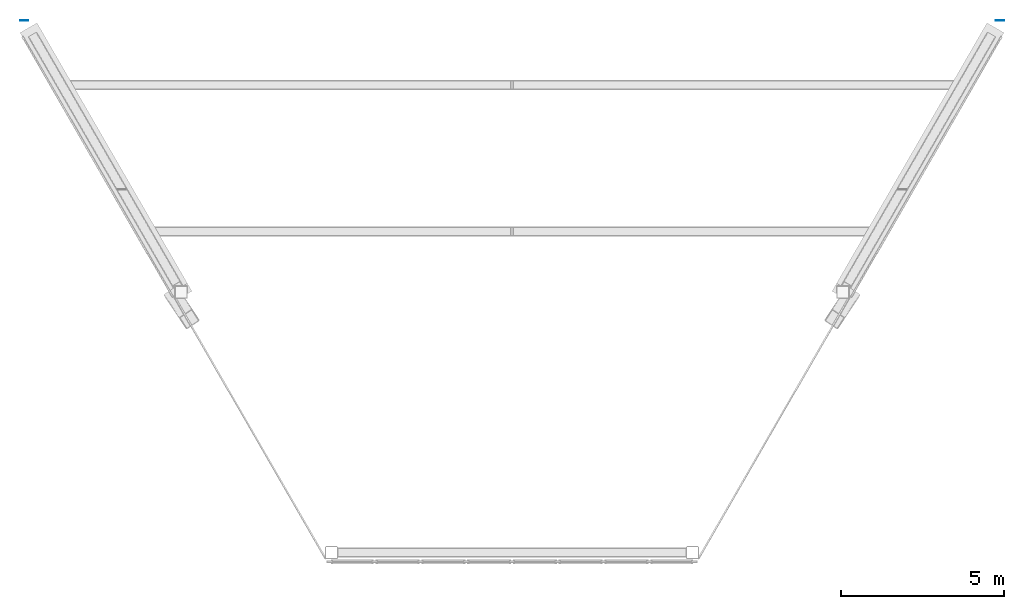
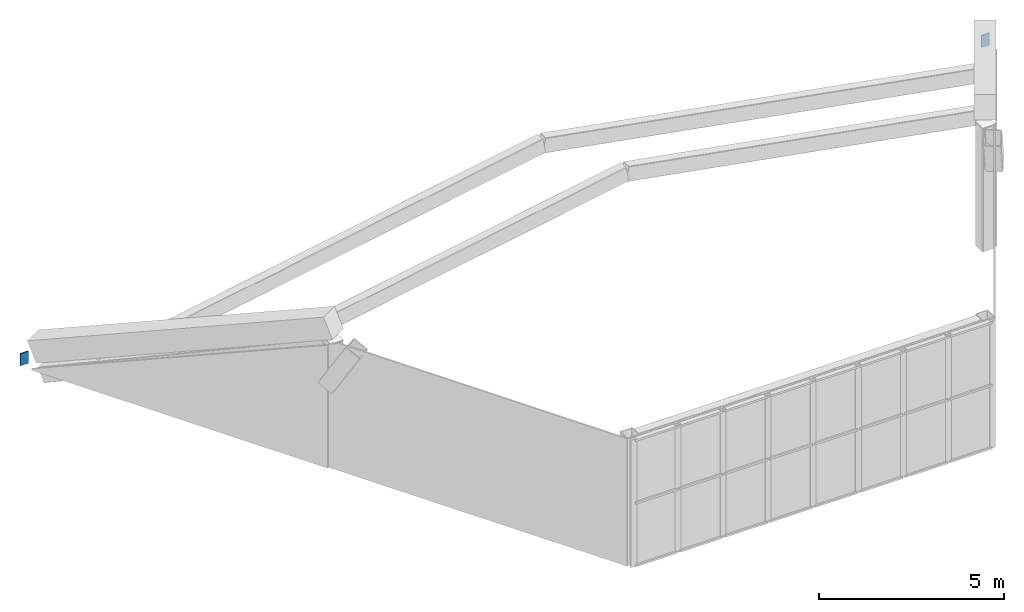
# One storey, part 3 of 4: 2 plates.
"""IFC4 building model written with IfcOpenShell, lengths in metres."""

import ifcopenshell
import ifcopenshell.guid

model = None  # the IFC model being written
_history = None  # IfcOwnerHistory: only IFC2X3 demands one
_inside = {}  # id of a spatial element -> (the spatial element, [elements in it])
_under = {}  # id of a project, library or spatial element -> (it, [spatial elements below it])
_declared = {}  # id of a project -> (the project, [libraries it declares])
_typed = {}  # id of a type object -> (the type object, [elements of that type])
_made_of = {}  # id of a material, layer set ... -> (it, [elements and type objects made of it])


def new_model(schema):
    """Start an empty IFC model of exactly this schema.

    Asked for "IFC4X3", IfcOpenShell would pick the latest addendum, in which some entities
    have other attributes; the version numbers below select the first issue.
    IFC2X3 requires an IfcOwnerHistory on every rooted entity: one is made here for all.
    """
    global model, _history
    if schema == "IFC4X3":
        model = ifcopenshell.file(schema_version=(4, 3, 0, 0))
    else:
        model = ifcopenshell.file(schema=schema)
    _inside.clear()
    _under.clear()
    _declared.clear()
    _typed.clear()
    _made_of.clear()
    _history = None
    if model.schema == "IFC2X3":
        org = make("IfcOrganization", Name="unknown")
        user = make(
            "IfcPersonAndOrganization",
            ThePerson=make("IfcPerson", FamilyName="unknown"),
            TheOrganization=org,
        )
        app = make(
            "IfcApplication",
            ApplicationDeveloper=org,
            Version="unknown",
            ApplicationFullName="unknown",
            ApplicationIdentifier="unknown",
        )
        _history = make(
            "IfcOwnerHistory",
            OwningUser=user,
            OwningApplication=app,
            ChangeAction="ADDED",
            CreationDate=0,
        )
    return model


def make(cls, **values):
    """One entity of the class cls with the attributes given. An attribute that is None is left unset."""
    return model.create_entity(
        cls, **{name: value for name, value in values.items() if value is not None}
    )


def rooted(cls, **values):
    """An entity with a GlobalId (a new one), such as an element, a storey or a relation."""
    return make(cls, GlobalId=ifcopenshell.guid.new(), OwnerHistory=_history, **values)


def si_unit(unit_type, name, prefix=None):
    """IfcSIUnit, for example si_unit("LENGTHUNIT", "METRE", prefix="MILLI")."""
    return make("IfcSIUnit", UnitType=unit_type, Prefix=prefix, Name=name)


def assignment(units):
    """IfcUnitAssignment: the units of a project."""
    return None if units is None else make("IfcUnitAssignment", Units=units)


def point(xyz):
    """IfcCartesianPoint."""
    return None if xyz is None else make("IfcCartesianPoint", Coordinates=xyz)


def direction(xyz):
    """IfcDirection."""
    return None if xyz is None else make("IfcDirection", DirectionRatios=xyz)


def frame(location, z_axis=None, x_axis=None):
    """IfcAxis2Placement3D, a coordinate frame: its origin and axes. An axis left out is left unset."""
    return make(
        "IfcAxis2Placement3D",
        Location=point(location),
        Axis=direction(z_axis),
        RefDirection=direction(x_axis),
    )


def origin():
    """The frame at (0, 0, 0) with its axes left unset."""
    return frame((0.0, 0.0, 0.0))


def place(relative_to, where):
    """IfcLocalPlacement: puts the frame where relative to a parent placement (None: the world)."""
    return make(
        "IfcLocalPlacement", PlacementRelTo=relative_to, RelativePlacement=where
    )


def context(
    kind, dimensions, precision=None, world=None, true_north=None, identifier=None
):
    """IfcGeometricRepresentationContext, for example the 3D "Model" context."""
    return make(
        "IfcGeometricRepresentationContext",
        ContextIdentifier=identifier,
        ContextType=kind,
        CoordinateSpaceDimension=dimensions,
        Precision=precision,
        WorldCoordinateSystem=world,
        TrueNorth=true_north,
    )


def subcontext(parent, identifier, kind, view, scale=None):
    """IfcGeometricRepresentationSubContext, for example "Body" below "Model"."""
    return make(
        "IfcGeometricRepresentationSubContext",
        ContextIdentifier=identifier,
        ContextType=kind,
        ParentContext=parent,
        TargetScale=scale,
        TargetView=view,
    )


def project(units=None, contexts=None):
    """IfcProject with its units and contexts."""
    return rooted(
        "IfcProject",
        Name="project",
        RepresentationContexts=contexts,
        UnitsInContext=assignment(units),
    )


def spatial(cls, under=None, at=None, **own):
    """A site, building, storey or space (cls), placed at a placement, below another one or the project."""
    s = rooted(cls, ObjectPlacement=at, **own)
    if under is not None:
        _under.setdefault(under.id(), (under, []))[1].append(s)
    return s


def polyline(points):
    """IfcPolyline through the points."""
    return make("IfcPolyline", Points=[point(p) for p in points])


def outline(outer, holes=None, kind="AREA"):
    """IfcArbitraryClosedProfileDef: a profile drawn as a closed curve; with holes, ...WithVoids."""
    if holes is None:
        return make("IfcArbitraryClosedProfileDef", ProfileType=kind, OuterCurve=outer)
    return make(
        "IfcArbitraryProfileDefWithVoids",
        ProfileType=kind,
        OuterCurve=outer,
        InnerCurves=holes,
    )


def extrude(swept, where, along, depth):
    """IfcExtrudedAreaSolid: the profile swept, set in the frame where, extruded along a direction by depth."""
    return make(
        "IfcExtrudedAreaSolid",
        SweptArea=swept,
        Position=where,
        ExtrudedDirection=direction(along),
        Depth=depth,
    )


def shape(context_of_items, identifier, shape_type, items):
    """IfcShapeRepresentation: the items that make up one representation, for example the "Body"."""
    return make(
        "IfcShapeRepresentation",
        ContextOfItems=context_of_items,
        RepresentationIdentifier=identifier,
        RepresentationType=shape_type,
        Items=items,
    )


def material(Name=None, Category=None):
    """IfcMaterial."""
    return make("IfcMaterial", Name=Name, Category=Category)


def layer(
    of_material, thickness, ventilated=None, Name=None, Category=None, Priority=None
):
    """IfcMaterialLayer: one layer of a wall or slab, of a material (None: an air gap)."""
    return make(
        "IfcMaterialLayer",
        Material=of_material,
        LayerThickness=thickness,
        IsVentilated=ventilated,
        Name=Name,
        Category=Category,
        Priority=Priority,
    )


def layer_set(layers, Name=None):
    """IfcMaterialLayerSet."""
    return make("IfcMaterialLayerSet", MaterialLayers=layers, LayerSetName=Name)


def made_of(thing, what):
    """Note that an element or type object is made of a material, layer set ...; save() writes the relation."""
    if what is not None:
        _made_of.setdefault(what.id(), (what, []))[1].append(thing)
    return thing


def type_object(cls, material=None, **own):
    """A type object (cls), such as IfcWallType, which elements share."""
    return made_of(rooted(cls, **own), material)


def element(
    cls,
    number,
    at=None,
    inside=None,
    cuts=None,
    type_object=None,
    material=None,
    context=None,
    identifier="Body",
    shape_type=None,
    held_by="IfcProductDefinitionShape",
    body=None,
    shapes=None,
    **own,
):
    """One element of the class cls, such as IfcWall. Its Tag is "e" and its number.

    at: its placement. inside: the storey or other place that contains it. cuts: it is an
    opening in that element (IfcRelVoidsElement). A single representation is given by context,
    identifier, shape_type and body (its items); several are given by shapes. held_by: the class
    of the entity that holds the representations. save() writes the other relations.
    """
    e = rooted(cls, Tag="e%d" % number, ObjectPlacement=at, **own)
    if body is not None:
        shapes = [shape(context, identifier, shape_type, body)]
    if shapes is not None:
        e.Representation = make(held_by, Representations=shapes)
    if inside is not None:
        _inside.setdefault(inside.id(), (inside, []))[1].append(e)
    if cuts is not None:
        rooted(
            "IfcRelVoidsElement", RelatingBuildingElement=cuts, RelatedOpeningElement=e
        )
    if type_object is not None:
        _typed.setdefault(type_object.id(), (type_object, []))[1].append(e)
    return made_of(e, material)


def aggregate(whole, parts):
    """IfcRelAggregates: a whole, such as a stair, and the parts it consists of."""
    return rooted("IfcRelAggregates", RelatingObject=whole, RelatedObjects=parts)


def save(model, path):
    """Write the relations noted so far, then the file.

    IfcRelAggregates (storeys below a building ...), IfcRelContainedInSpatialStructure (elements
    in a storey), IfcRelDefinesByType, IfcRelAssociatesMaterial and IfcRelDeclares: one each for
    every whole, place, type object, material and project.
    """
    for whole, parts in _under.values():
        aggregate(whole, parts)
    for where, things in _inside.values():
        rooted(
            "IfcRelContainedInSpatialStructure",
            RelatedElements=things,
            RelatingStructure=where,
        )
    for kind, things in _typed.values():
        rooted("IfcRelDefinesByType", RelatedObjects=things, RelatingType=kind)
    for what, things in _made_of.values():
        rooted("IfcRelAssociatesMaterial", RelatedObjects=things, RelatingMaterial=what)
    for by, libraries in _declared.values():
        rooted("IfcRelDeclares", RelatingContext=by, RelatedDefinitions=libraries)
    model.write(path)


model = new_model("IFC4")

# Units and contexts
model_context = context("Model", 3, precision=1e-05, world=origin(), true_north=direction((0.0, 1.0)))
body_context = subcontext(model_context, "Body", "Model", "MODEL_VIEW")
ifc_project = project(units=[si_unit("LENGTHUNIT", "METRE"), si_unit("AREAUNIT", "SQUARE_METRE"), si_unit("VOLUMEUNIT", "CUBIC_METRE"), si_unit("PLANEANGLEUNIT", "RADIAN"), si_unit("MASSUNIT", "GRAM", prefix="KILO")], contexts=[model_context])

# Site, building, storey
site_placement = place(None, origin())
site = spatial("IfcSite", under=ifc_project, at=site_placement, CompositionType="ELEMENT")
building_placement = place(site_placement, origin())
building = spatial("IfcBuilding", under=site, at=building_placement, Name="Aloe Facet Convention Tower", CompositionType="ELEMENT")
storey_placement = place(building_placement, frame((0.0, 0.0, 298.10009765625)))
storey = spatial("IfcBuildingStorey", under=building, at=storey_placement, Name="C4", CompositionType="ELEMENT", Elevation=298.10009765625)

# Plates
ifc_material = material(Name="Steel S355", Category="steel")
ifc_layer = layer(ifc_material, 0.030029296875)
ifc_layer_set = layer_set([ifc_layer], Name="STW-CROWN END PLATE")
plate_type = type_object("IfcPlateType", Name="STW-CROWN END PLATE", PredefinedType="SHEET", material=ifc_layer_set)
for number, where, z_axis, x_axis, name in (
    (1, (64.875, 125.55126953125, 0.260009765625), (0.0, 1.0, 0.0), (1.0, 0.0, 0.0), "End plate CF-EP-W09S"),
    (2, (94.875, 125.55126953125, 0.260009765625), (0.0, 1.0, 0.0), (1.0, 0.0, 0.0), "End plate CF-EP-E10S"),
):
    element("IfcPlate", number, at=place(storey_placement, frame(where, z_axis=z_axis, x_axis=x_axis)), inside=storey, type_object=plate_type, Name=name, PredefinedType="SHEET", context=body_context, shape_type="SweptSolid", body=[
        extrude(outline(polyline([(0.0, 0.0), (0.25, 0.0), (0.25, 0.400146484375), (0.0, 0.400146484375), (0.0, 0.0)])), origin(), (0.0, 0.0, -1.0), 0.030029296875),
    ])

save(model, "model.ifc")
